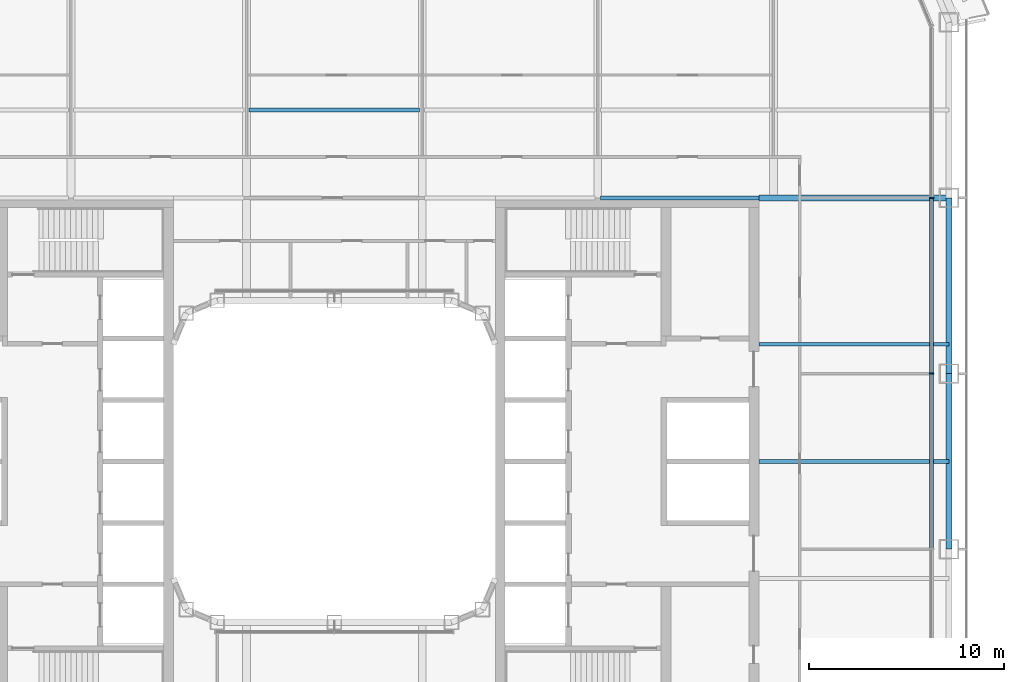
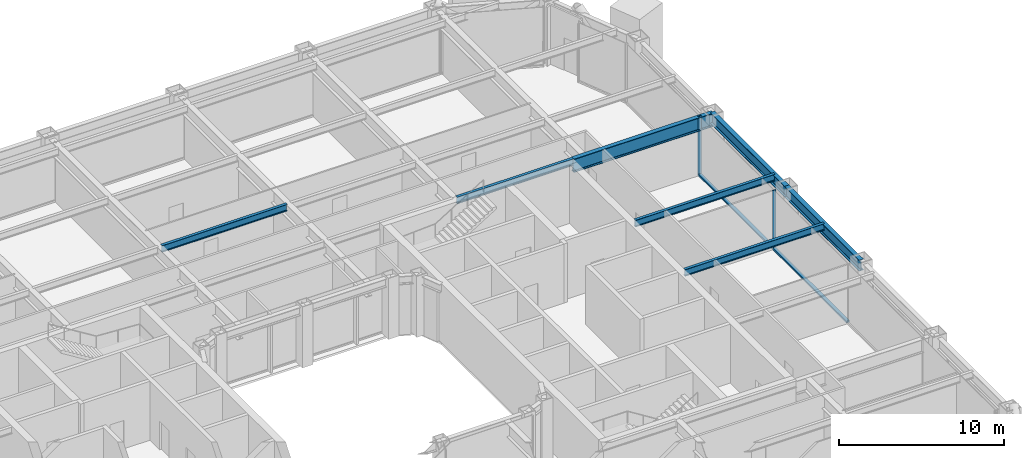
# One storey, part 9 of 30: 7 beams, 4 members, 1 element without a shape of its own.
"""IFC4 building model written with IfcOpenShell, lengths in metres."""

from ifc_helpers import new_model, si_unit, direction, frame, origin, origin_2d, place, context, subcontext, project, spatial, rectangle, i_section, extrude, material, layer, layer_set, material_profile, profile_set, type_object, element, aggregate, save


model = new_model("IFC4")

# Units and contexts
model_context = context("Model", 3, precision=1e-05, world=origin(), true_north=direction((0.0, 1.0)))
body_context = subcontext(model_context, "Body", "Model", "MODEL_VIEW")
ifc_project = project(units=[si_unit("LENGTHUNIT", "METRE"), si_unit("AREAUNIT", "SQUARE_METRE"), si_unit("VOLUMEUNIT", "CUBIC_METRE"), si_unit("PLANEANGLEUNIT", "RADIAN"), si_unit("MASSUNIT", "GRAM", prefix="KILO")], contexts=[model_context])

# Site, building, storey
site_placement = place(None, origin())
site = spatial("IfcSite", under=ifc_project, at=site_placement, CompositionType="ELEMENT")
building_placement = place(site_placement, origin())
building = spatial("IfcBuilding", under=site, at=building_placement, Name="Siwar Civic Tower", CompositionType="ELEMENT")
storey_placement = place(building_placement, frame((0.0, 0.0, 62.699951171875)))
storey = spatial("IfcBuildingStorey", under=building, at=storey_placement, Name="L13", CompositionType="ELEMENT", Elevation=62.699951171875)

# Curtain wall, members
ifc_material_1 = material(Name="Aluminium and glass", Category="aluminium")
ifc_layer = layer(ifc_material_1, 0.219970703125)
ifc_layer_set = layer_set([ifc_layer], Name="Aluminium and glass")
curtain_wall_type = type_object("IfcCurtainWallType", Name="ENV-CW-A", PredefinedType="NOTDEFINED", material=ifc_layer_set)
curtain_wall_placement = place(storey_placement, origin())
curtain_wall = element("IfcCurtainWall", 1, at=curtain_wall_placement, inside=storey, type_object=curtain_wall_type, Name="Curtain wall A E", PredefinedType="NOTDEFINED")
ifc_material_2 = material(Name="Aluminium 6063-T6", Category="aluminium")
ifc_material_profile_1 = material_profile(ifc_material_2, rectangle(XDim=0.219970703125, YDim=0.070068359375, at=origin_2d()), Name="AL 220x70")
ifc_profile_set_1 = profile_set([ifc_material_profile_1], Name="Aluminium 6063-T6")
member_type_1 = type_object("IfcMemberType", Name="ENV-MULLION-A", PredefinedType="MULLION", material=ifc_profile_set_1)
member_1_placement = place(storey_placement, frame((30.60009765625, 4.5, 0.0), z_axis=(0.0, 0.0, 1.0), x_axis=(-1.0, 0.0, 0.0)))
member_1 = element("IfcMember", 2, at=member_1_placement, type_object=member_type_1, Name="Mullion A E 4", PredefinedType="MULLION", context=body_context, shape_type="SweptSolid", body=[
    extrude(rectangle(XDim=0.219970703125, YDim=0.070068359375, at=origin_2d()), origin(), (0.0, 0.0, 1.0), 4.35009765625),
])
member_2_placement = place(storey_placement, frame((30.60009765625, 13.5, 0.0), z_axis=(0.0, 0.0, 1.0), x_axis=(-1.0, 0.0, 0.0)))
member_2 = element("IfcMember", 3, at=member_2_placement, type_object=member_type_1, Name="Mullion A E 5", PredefinedType="MULLION", context=body_context, shape_type="SweptSolid", body=[
    extrude(rectangle(XDim=0.219970703125, YDim=0.070068359375, at=origin_2d()), origin(), (0.0, 0.0, 1.0), 4.35009765625),
])
ifc_material_3 = material(Name="Aluminium 6063-T6", Category="aluminium")
ifc_material_profile_2 = material_profile(ifc_material_3, rectangle(XDim=0.219970703125, YDim=0.1201171875, at=origin_2d()), Name="AL 220x120")
ifc_profile_set_2 = profile_set([ifc_material_profile_2], Name="Aluminium 6063-T6")
member_type_2 = type_object("IfcMemberType", Name="ENV-TRANSOM-A", PredefinedType="USERDEFINED", material=ifc_profile_set_2)
member_3_placement = place(storey_placement, frame((30.60009765625, -4.465087890625, 0.06005859375), z_axis=(0.0, 1.0, 0.0), x_axis=(-1.0, 0.0, 0.0)))
member_3 = element("IfcMember", 4, at=member_3_placement, type_object=member_type_2, Name="Transom A E 3", ObjectType="TRANSOM", PredefinedType="USERDEFINED", context=body_context, shape_type="SweptSolid", body=[
    extrude(rectangle(XDim=0.219970703125, YDim=0.1201171875, at=origin_2d()), origin(), (0.0, 0.0, 1.0), 8.93017578125),
])
member_4_placement = place(storey_placement, frame((30.60009765625, 4.534912109375, 0.06005859375), z_axis=(0.0, 1.0, 0.0), x_axis=(-1.0, 0.0, 0.0)))
member_4 = element("IfcMember", 5, at=member_4_placement, type_object=member_type_2, Name="Transom A E 4", ObjectType="TRANSOM", PredefinedType="USERDEFINED", context=body_context, shape_type="SweptSolid", body=[
    extrude(rectangle(XDim=0.219970703125, YDim=0.1201171875, at=origin_2d()), origin(), (0.0, 0.0, 1.0), 8.93017578125),
])
aggregate(curtain_wall, [member_1, member_2, member_3, member_4])

# Beams
ifc_material_4 = material(Name="Steel S355", Category="steel")
ifc_material_profile_3 = material_profile(ifc_material_4, i_section(OverallWidth=0.199951171875, OverallDepth=0.5, WebThickness=0.01025390625, FlangeThickness=0.01611328125, FilletRadius=0.02099609375, at=origin_2d()), Name="IPE500")
ifc_profile_set_3 = profile_set([ifc_material_profile_3], Name="Steel S355")
beam_type_1 = type_object("IfcBeamType", Name="STR-FB-IPE500", PredefinedType="JOIST", material=ifc_profile_set_3)
for number, where, z_axis, x_axis, name in (
    (6, (21.75, 0.0, 4.10009765625), (1.0, 0.0, 0.0), (0.0, 1.0, 0.0), "L13/bm/F034"),
    (7, (21.75, 6.0, 4.10009765625), (1.0, 0.0, 0.0), (0.0, 1.0, 0.0), "L13/bm/F036"),
):
    element("IfcBeam", number, at=place(storey_placement, frame(where, z_axis=z_axis, x_axis=x_axis)), inside=storey, type_object=beam_type_1, Name=name, PredefinedType="JOIST", context=body_context, shape_type="SweptSolid", body=[
        extrude(i_section(OverallWidth=0.199951171875, OverallDepth=0.5, WebThickness=0.01025390625, FlangeThickness=0.01611328125, FilletRadius=0.02099609375, at=origin_2d()), origin(), (0.0, 0.0, 1.0), 9.75),
    ])
beam_1_placement = place(storey_placement, frame((13.6298828125, 13.5, 4.10009765625), z_axis=(1.0, 0.0, 0.0), x_axis=(0.0, 1.0, 0.0)))
element("IfcBeam", 8, at=beam_1_placement, inside=storey, type_object=beam_type_1, Name="L13/bm/F044", PredefinedType="JOIST", context=body_context, shape_type="SweptSolid", body=[
    extrude(i_section(OverallWidth=0.199951171875, OverallDepth=0.5, WebThickness=0.01025390625, FlangeThickness=0.01611328125, FilletRadius=0.02099609375, at=origin_2d()), origin(), (0.0, 0.0, 1.0), 8.1201171875),
])
beam_2_placement = place(storey_placement, frame((-4.3701171875, 18.0, 4.10009765625), z_axis=(1.0, 0.0, 0.0), x_axis=(0.0, 1.0, 0.0)))
element("IfcBeam", 9, at=beam_2_placement, inside=storey, type_object=beam_type_1, Name="L13/bm/F049", PredefinedType="JOIST", context=body_context, shape_type="SweptSolid", body=[
    extrude(i_section(OverallWidth=0.199951171875, OverallDepth=0.5, WebThickness=0.01025390625, FlangeThickness=0.01611328125, FilletRadius=0.02099609375, at=origin_2d()), origin(), (0.0, 0.0, 1.0), 8.740234375),
])
ifc_material_5 = material(Name="Steel S355", Category="steel")
ifc_material_profile_4 = material_profile(ifc_material_5, i_section(OverallWidth=0.300048828125, OverallDepth=1.0, WebThickness=0.01904296875, FlangeThickness=0.035888671875, FilletRadius=0.030029296875, at=origin_2d()), Name="HEB1000")
ifc_profile_set_4 = profile_set([ifc_material_profile_4], Name="Steel S355")
beam_type_2 = type_object("IfcBeamType", Name="STR-PG-HEB1000", PredefinedType="BEAM", material=ifc_profile_set_4)
beam_3_placement = place(storey_placement, frame((21.75, 13.5, 3.85009765625), z_axis=(1.0, 0.0, 0.0), x_axis=(0.0, 1.0, 0.0)))
element("IfcBeam", 10, at=beam_3_placement, inside=storey, type_object=beam_type_2, Name="L13/bm/F045", PredefinedType="BEAM", context=body_context, shape_type="SweptSolid", body=[
    extrude(i_section(OverallWidth=0.300048828125, OverallDepth=1.0, WebThickness=0.01904296875, FlangeThickness=0.035888671875, FilletRadius=0.030029296875, at=origin_2d()), origin(), (0.0, 0.0, 1.0), 9.75),
])
ifc_material_6 = material(Name="Steel S355", Category="steel")
ifc_material_profile_5 = material_profile(ifc_material_6, i_section(OverallWidth=0.302978515625, OverallDepth=0.81396484375, WebThickness=0.02099609375, FlangeThickness=0.0400390625, FilletRadius=0.030029296875, at=origin_2d()), Name="HEM800")
ifc_profile_set_5 = profile_set([ifc_material_profile_5], Name="Steel S355")
beam_type_3 = type_object("IfcBeamType", Name="STR-SB-HEM800", PredefinedType="BEAM", material=ifc_profile_set_5)
for number, where, z_axis, x_axis, name in (
    (11, (31.5, -4.5, 3.943115234375), (0.0, 1.0, 0.0), (-1.0, 0.0, 0.0), "L13/bm/SE-2"),
    (12, (31.5, 4.5, 3.943115234375), (0.0, 1.0, 0.0), (-1.0, 0.0, 0.0), "L13/bm/SE-3"),
):
    element("IfcBeam", number, at=place(storey_placement, frame(where, z_axis=z_axis, x_axis=x_axis)), inside=storey, type_object=beam_type_3, Name=name, PredefinedType="BEAM", context=body_context, shape_type="SweptSolid", body=[
        extrude(i_section(OverallWidth=0.302978515625, OverallDepth=0.81396484375, WebThickness=0.02099609375, FlangeThickness=0.0400390625, FilletRadius=0.030029296875, at=origin_2d()), origin(), (0.0, 0.0, 1.0), 9.0),
    ])

save(model, "model.ifc")
